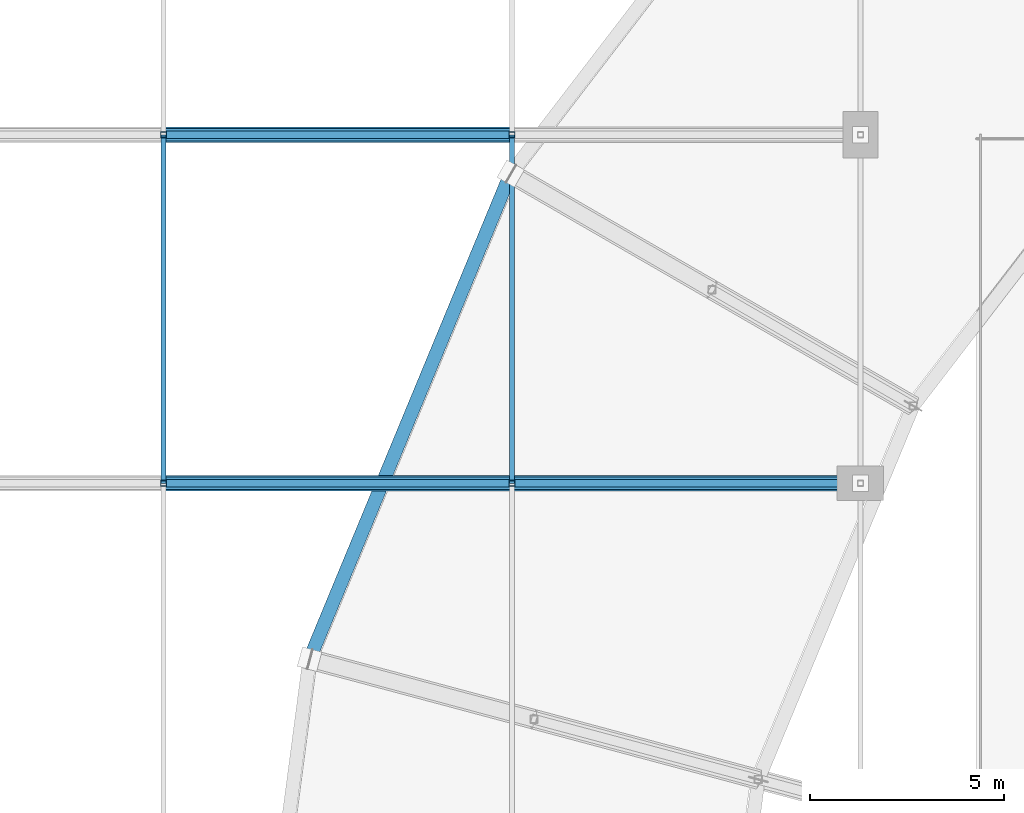
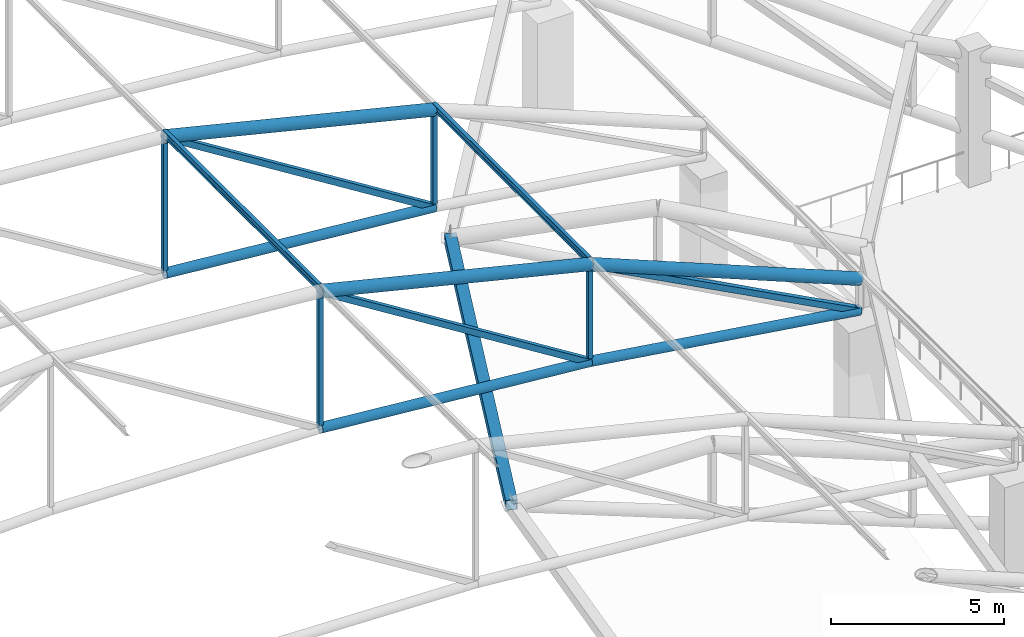
# One storey, part 59 of 167: 16 members.
"""IFC4 building model written with IfcOpenShell, lengths in metres."""

from ifc_helpers import new_model, si_unit, direction, frame, origin, origin_2d, place, context, subcontext, project, spatial, hollow_rectangle, hollow_circle, i_section, extrude, material, material_profile, profile_set, type_object, element, save


model = new_model("IFC4")

# Units and contexts
model_context = context("Model", 3, precision=1e-05, world=origin(), true_north=direction((0.0, 1.0)))
body_context = subcontext(model_context, "Body", "Model", "MODEL_VIEW")
ifc_project = project(units=[si_unit("LENGTHUNIT", "METRE"), si_unit("AREAUNIT", "SQUARE_METRE"), si_unit("VOLUMEUNIT", "CUBIC_METRE"), si_unit("PLANEANGLEUNIT", "RADIAN"), si_unit("MASSUNIT", "GRAM", prefix="KILO")], contexts=[model_context])

# Site, building, storey
site_placement = place(None, origin())
site = spatial("IfcSite", under=ifc_project, at=site_placement, CompositionType="ELEMENT")
building_placement = place(site_placement, origin())
building = spatial("IfcBuilding", under=site, at=building_placement, Name="Dornveld Trade and Exhibition Forum", CompositionType="ELEMENT")
storey_placement = place(building_placement, frame((0.0, 0.0, 16.800048828125)))
storey = spatial("IfcBuildingStorey", under=building, at=storey_placement, Name="L03", CompositionType="ELEMENT", Elevation=16.800048828125)

# Members
ifc_material_1 = material(Name="Steel S355J2", Category="steel")
ifc_material_profile_1 = material_profile(ifc_material_1, hollow_circle(Radius=0.161865234375, WallThickness=0.01611328125, at=origin_2d()), Name="CHS 323.9x16")
ifc_profile_set_1 = profile_set([ifc_material_profile_1], Name="Steel S355J2")
member_type_1 = type_object("IfcMemberType", Name="MEM-ARCH-BC", PredefinedType="CHORD", material=ifc_profile_set_1)
member_1_placement = place(storey_placement, frame((63.0, 99.0, 6.083251953125), z_axis=(0.996072164085, 0.0, -0.088545151956), x_axis=(0.0, 1.0, 0.0)))
element("IfcMember", 1, at=member_1_placement, inside=storey, type_object=member_type_1, Name="H3 truss 8 tie chord 5", PredefinedType="CHORD", context=body_context, shape_type="SweptSolid", body=[
    extrude(hollow_circle(Radius=0.161865234375, WallThickness=0.01611328125, at=origin_2d()), origin(), (0.0, 0.0, 1.0), 9.035400390625),
])
member_2_placement = place(storey_placement, frame((72.0, 99.0, 5.283203125), z_axis=(0.989204758987, 0.0, -0.146539908551), x_axis=(0.0, 1.0, 0.0)))
element("IfcMember", 2, at=member_2_placement, inside=storey, type_object=member_type_1, Name="H3 truss 8 tie chord 6", PredefinedType="CHORD", context=body_context, shape_type="SweptSolid", body=[
    extrude(hollow_circle(Radius=0.161865234375, WallThickness=0.01611328125, at=origin_2d()), origin(), (0.0, 0.0, 1.0), 9.09814453125),
])
member_3_placement = place(storey_placement, frame((63.0, 108.0, 6.083251953125), z_axis=(0.996072164085, 0.0, -0.088545151956), x_axis=(0.0, 1.0, 0.0)))
element("IfcMember", 3, at=member_3_placement, inside=storey, type_object=member_type_1, Name="H3 truss 9 tie chord 5", PredefinedType="CHORD", context=body_context, shape_type="SweptSolid", body=[
    extrude(hollow_circle(Radius=0.161865234375, WallThickness=0.01611328125, at=origin_2d()), origin(), (0.0, 0.0, 1.0), 9.035400390625),
])
ifc_material_2 = material(Name="Steel S355J2", Category="steel")
ifc_material_profile_2 = material_profile(ifc_material_2, hollow_rectangle(XDim=0.14990234375, YDim=0.14990234375, WallThickness=0.008056640625, at=origin_2d()), Name="SHS 150x150x8")
ifc_profile_set_2 = profile_set([ifc_material_profile_2], Name="Steel S355J2")
member_type_2 = type_object("IfcMemberType", Name="MEM-ARCH-STR", PredefinedType="STRUT", material=ifc_profile_set_2)
member_4_placement = place(storey_placement, frame((63.0, 99.0, 6.083251953125), z_axis=(0.0, 0.0, 1.0), x_axis=(1.0, 0.0, 0.0)))
element("IfcMember", 4, at=member_4_placement, inside=storey, type_object=member_type_2, Name="H3 truss 8 strut 5", PredefinedType="STRUT", context=body_context, shape_type="SweptSolid", body=[
    extrude(hollow_rectangle(XDim=0.14990234375, YDim=0.14990234375, WallThickness=0.008056640625, at=origin_2d()), origin(), (0.0, 0.0, 1.0), 4.83349609375),
])
member_5_placement = place(storey_placement, frame((72.0, 99.0, 5.283203125), z_axis=(0.0, 0.0, 1.0), x_axis=(1.0, 0.0, 0.0)))
element("IfcMember", 5, at=member_5_placement, inside=storey, type_object=member_type_2, Name="H3 truss 8 strut 6", PredefinedType="STRUT", context=body_context, shape_type="SweptSolid", body=[
    extrude(hollow_rectangle(XDim=0.14990234375, YDim=0.14990234375, WallThickness=0.008056640625, at=origin_2d()), origin(), (0.0, 0.0, 1.0), 3.433349609375),
])
member_6_placement = place(storey_placement, frame((63.0, 108.0, 6.083251953125), z_axis=(0.0, 0.0, 1.0), x_axis=(1.0, 0.0, 0.0)))
element("IfcMember", 6, at=member_6_placement, inside=storey, type_object=member_type_2, Name="H3 truss 9 strut 5", PredefinedType="STRUT", context=body_context, shape_type="SweptSolid", body=[
    extrude(hollow_rectangle(XDim=0.14990234375, YDim=0.14990234375, WallThickness=0.008056640625, at=origin_2d()), origin(), (0.0, 0.0, 1.0), 4.83349609375),
])
member_7_placement = place(storey_placement, frame((72.0, 108.0, 5.283203125), z_axis=(0.0, 0.0, 1.0), x_axis=(1.0, 0.0, 0.0)))
element("IfcMember", 7, at=member_7_placement, inside=storey, type_object=member_type_2, Name="H3 truss 9 strut 6", PredefinedType="STRUT", context=body_context, shape_type="SweptSolid", body=[
    extrude(hollow_rectangle(XDim=0.14990234375, YDim=0.14990234375, WallThickness=0.008056640625, at=origin_2d()), origin(), (0.0, 0.0, 1.0), 3.433349609375),
])
ifc_material_3 = material(Name="Steel S355J2", Category="steel")
ifc_material_profile_3 = material_profile(ifc_material_3, hollow_circle(Radius=0.203125, WallThickness=0.02001953125, at=origin_2d()), Name="CHS 406.4x20")
ifc_profile_set_3 = profile_set([ifc_material_profile_3], Name="Steel S355J2")
member_type_3 = type_object("IfcMemberType", Name="MEM-ARCH-TC", PredefinedType="CHORD", material=ifc_profile_set_3)
member_8_placement = place(storey_placement, frame((63.0, 99.0, 10.916748046875), z_axis=(0.971394143806, 0.0, -0.237472982421), x_axis=(0.0, 1.0, 0.0)))
element("IfcMember", 8, at=member_8_placement, inside=storey, type_object=member_type_3, Name="H3 truss 8 top chord 5", PredefinedType="CHORD", context=body_context, shape_type="SweptSolid", body=[
    extrude(hollow_circle(Radius=0.203125, WallThickness=0.02001953125, at=origin_2d()), origin(), (0.0, 0.0, 1.0), 9.26513671875),
])
member_9_placement = place(storey_placement, frame((72.0, 99.0, 8.716552734375), z_axis=(0.926098211611, 0.0, -0.377282523383), x_axis=(0.0, 1.0, 0.0)))
element("IfcMember", 9, at=member_9_placement, inside=storey, type_object=member_type_3, Name="H3 truss 8 top chord 6", PredefinedType="CHORD", context=body_context, shape_type="SweptSolid", body=[
    extrude(hollow_circle(Radius=0.203125, WallThickness=0.02001953125, at=origin_2d()), origin(), (0.0, 0.0, 1.0), 9.71826171875),
])
member_10_placement = place(storey_placement, frame((63.0, 108.0, 10.916748046875), z_axis=(0.971394143806, 0.0, -0.237472982421), x_axis=(0.0, 1.0, 0.0)))
element("IfcMember", 10, at=member_10_placement, inside=storey, type_object=member_type_3, Name="H3 truss 9 top chord 5", PredefinedType="CHORD", context=body_context, shape_type="SweptSolid", body=[
    extrude(hollow_circle(Radius=0.203125, WallThickness=0.02001953125, at=origin_2d()), origin(), (0.0, 0.0, 1.0), 9.26513671875),
])
ifc_material_4 = material(Name="Steel S355J2", Category="steel")
ifc_material_profile_4 = material_profile(ifc_material_4, hollow_rectangle(XDim=0.199951171875, YDim=0.199951171875, WallThickness=0.010009765625, at=origin_2d()), Name="SHS 200x200x10")
ifc_profile_set_4 = profile_set([ifc_material_profile_4], Name="Steel S355J2")
member_type_4 = type_object("IfcMemberType", Name="MEM-ARCH-WEB", PredefinedType="BRACE", material=ifc_profile_set_4)
member_11_placement = place(storey_placement, frame((72.0, 99.0, 5.283203125), z_axis=(-0.84763640931, 0.0, 0.53057753214), x_axis=(0.0, -1.0, 0.0)))
element("IfcMember", 11, at=member_11_placement, inside=storey, type_object=member_type_4, Name="H3 truss 8 web 5", PredefinedType="BRACE", context=body_context, shape_type="SweptSolid", body=[
    extrude(hollow_rectangle(XDim=0.199951171875, YDim=0.199951171875, WallThickness=0.010009765625, at=origin_2d()), origin(), (0.0, 0.0, 1.0), 10.61767578125),
])
member_12_placement = place(storey_placement, frame((81.0, 99.0, 3.949951171875), z_axis=(-0.883710934211, 0.0, 0.468033102201), x_axis=(0.0, -1.0, 0.0)))
element("IfcMember", 12, at=member_12_placement, inside=storey, type_object=member_type_4, Name="H3 truss 8 web 6", PredefinedType="BRACE", context=body_context, shape_type="SweptSolid", body=[
    extrude(hollow_rectangle(XDim=0.199951171875, YDim=0.199951171875, WallThickness=0.010009765625, at=origin_2d()), origin(), (0.0, 0.0, 1.0), 10.184326171875),
])
member_13_placement = place(storey_placement, frame((72.0, 108.0, 5.283203125), z_axis=(-0.84763640931, 0.0, 0.53057753214), x_axis=(0.0, -1.0, 0.0)))
element("IfcMember", 13, at=member_13_placement, inside=storey, type_object=member_type_4, Name="H3 truss 9 web 5", PredefinedType="BRACE", context=body_context, shape_type="SweptSolid", body=[
    extrude(hollow_rectangle(XDim=0.199951171875, YDim=0.199951171875, WallThickness=0.010009765625, at=origin_2d()), origin(), (0.0, 0.0, 1.0), 10.61767578125),
])
ifc_material_5 = material(Name="Steel S355J2", Category="steel")
ifc_material_profile_5 = material_profile(ifc_material_5, hollow_rectangle(XDim=0.35009765625, YDim=0.35009765625, WallThickness=0.01611328125, at=origin_2d()), Name="SHS 350x350x16")
ifc_profile_set_5 = profile_set([ifc_material_profile_5], Name="Steel S355J2")
member_type_5 = type_object("IfcMemberType", Name="MEM-DISC-RING", PredefinedType="CHORD", material=ifc_profile_set_5)
member_14_placement = place(storey_placement, frame((71.966796875, 107.0, 4.800048828125), z_axis=(-0.382681118981, -0.923880490743, 0.0), x_axis=(0.923880490743, -0.382681118981, 0.0)))
element("IfcMember", 14, at=member_14_placement, inside=storey, type_object=member_type_5, Name="Roof disc ring 4 chord 11", PredefinedType="CHORD", context=body_context, shape_type="SweptSolid", body=[
    extrude(hollow_rectangle(XDim=0.35009765625, YDim=0.35009765625, WallThickness=0.01611328125, at=origin_2d()), origin(), (0.0, 0.0, 1.0), 13.57470703125),
])
ifc_material_6 = material(Name="Steel S355J2", Category="steel")
ifc_material_profile_6 = material_profile(ifc_material_6, i_section(OverallWidth=0.1201171875, OverallDepth=0.239990234375, WebThickness=0.006103515625, FlangeThickness=0.009765625, FilletRadius=0.014892578125, at=origin_2d()), Name="IPE 240")
ifc_profile_set_6 = profile_set([ifc_material_profile_6], Name="Steel S355J2")
member_type_6 = type_object("IfcMemberType", Name="MEM-PURLIN-240", PredefinedType="PURLIN", material=ifc_profile_set_6)
for number, where, z_axis, x_axis, name in (
    (15, (63.0, 99.0, 11.048583984375), (0.0, 1.0, 0.0), (-1.0, 0.0, 0.0), "H3 bay 8 roof purlin 5"),
    (16, (72.0, 99.0, 8.8486328125), (0.0, 1.0, 0.0), (-1.0, 0.0, 0.0), "H3 bay 8 roof purlin 6"),
):
    element("IfcMember", number, at=place(storey_placement, frame(where, z_axis=z_axis, x_axis=x_axis)), inside=storey, type_object=member_type_6, Name=name, PredefinedType="PURLIN", context=body_context, shape_type="SweptSolid", body=[
        extrude(i_section(OverallWidth=0.1201171875, OverallDepth=0.239990234375, WebThickness=0.006103515625, FlangeThickness=0.009765625, FilletRadius=0.014892578125, at=origin_2d()), origin(), (0.0, 0.0, 1.0), 9.0),
    ])

save(model, "model.ifc")
